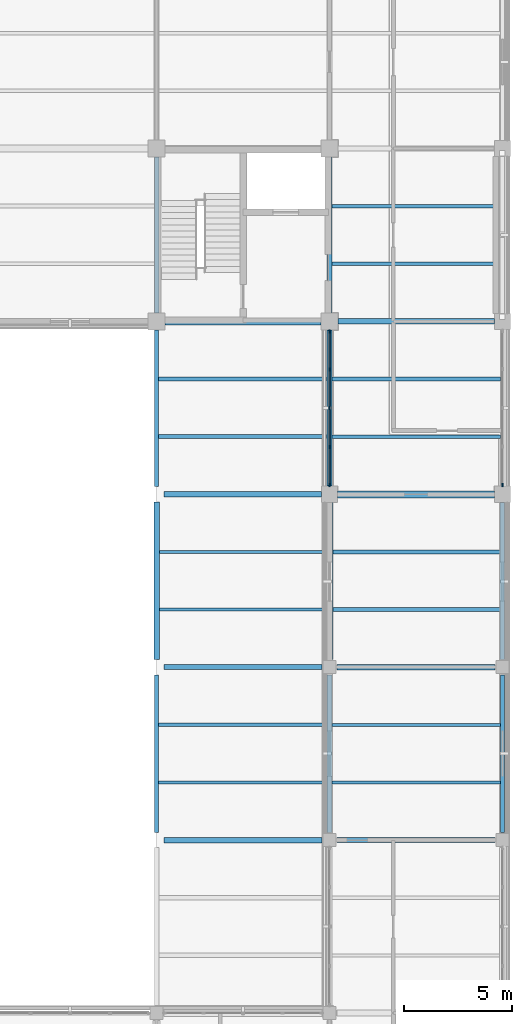
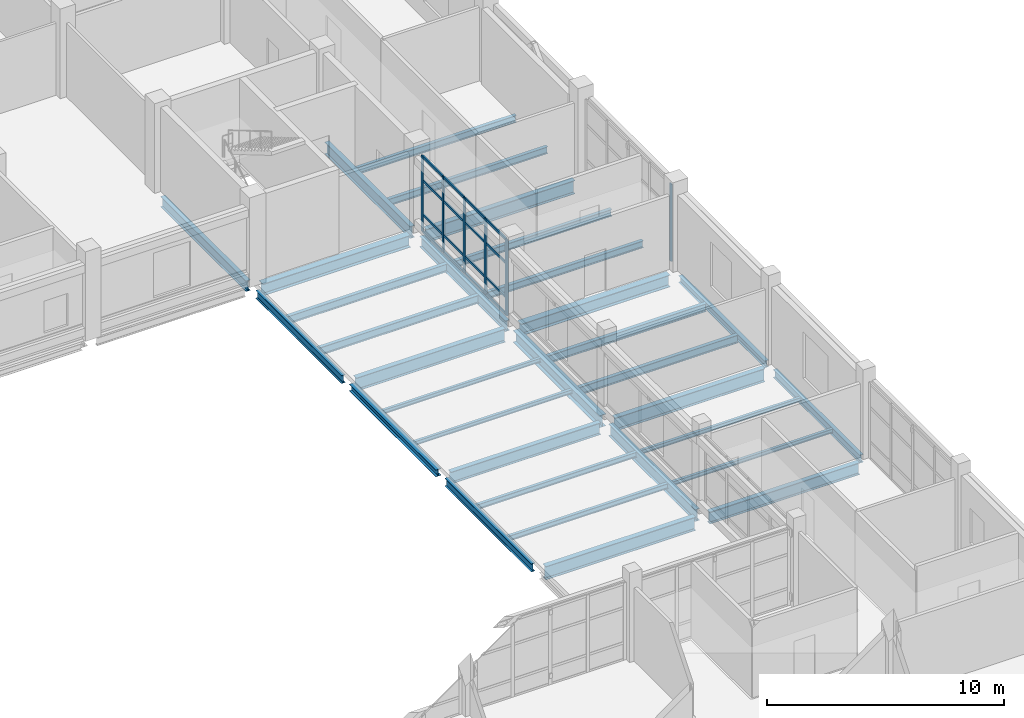
# One storey, part 54 of 121: 32 beams, 22 members, 2 elements without a shape of their own.
"""IFC4 building model written with IfcOpenShell, lengths in metres."""

from ifc_helpers import new_model, si_unit, derived_unit, direction, frame, origin, origin_2d, place, context, subcontext, project, spatial, rectangle, i_section, extrude, material, layer, layer_set, material_profile, profile_set, type_object, element, aggregate, save


model = new_model("IFC4")

# Units and contexts
model_context = context("Model", 3, precision=1e-05, world=origin(), true_north=direction((0.0, 1.0)))
body_context = subcontext(model_context, "Body", "Model", "MODEL_VIEW")
ifc_project = project(units=[si_unit("LENGTHUNIT", "METRE"), si_unit("AREAUNIT", "SQUARE_METRE"), si_unit("VOLUMEUNIT", "CUBIC_METRE"), si_unit("PLANEANGLEUNIT", "RADIAN"), si_unit("MASSUNIT", "GRAM", prefix="KILO"), derived_unit("THERMALTRANSMITTANCEUNIT", [(si_unit("MASSUNIT", "GRAM", prefix="KILO"), 1), (si_unit("TIMEUNIT", "SECOND"), -3), (si_unit("THERMODYNAMICTEMPERATUREUNIT", "KELVIN"), -1)])], contexts=[model_context])

# Site, building, storey
site_placement = place(None, origin())
site = spatial("IfcSite", under=ifc_project, at=site_placement, CompositionType="ELEMENT")
building_placement = place(site_placement, origin())
building = spatial("IfcBuilding", under=site, at=building_placement, Name="Veyamyaing Civic Hall", CompositionType="ELEMENT")
storey_placement = place(building_placement, frame((0.0, 0.0, 5.280029296875)))
storey = spatial("IfcBuildingStorey", under=building, at=storey_placement, Name="L01", CompositionType="ELEMENT", Elevation=5.280029296875)

# Beams
ifc_material_1 = material(Name="Steel ASTM A992", Category="steel")
ifc_material_profile_1 = material_profile(ifc_material_1, i_section(OverallWidth=0.256103515625, OverallDepth=0.693115234375, WebThickness=0.014404296875, FlangeThickness=0.023681640625, FilletRadius=0.013916015625, at=origin_2d()), Name="W690X170")
ifc_profile_set_1 = profile_set([ifc_material_profile_1], Name="Steel ASTM A992")
beam_type_1 = type_object("IfcBeamType", Name="B-04", PredefinedType="BEAM", material=ifc_profile_set_1)
beam_1_placement = place(storey_placement, frame((160.35009765625, 64.0, -0.58642578125), z_axis=(1.0, 0.0, 0.0), x_axis=(0.0, 1.0, 0.0)))
element("IfcBeam", 1, at=beam_1_placement, inside=storey, type_object=beam_type_1, Name="Girder B-04 L01 Grid J 21-22", PredefinedType="BEAM", context=body_context, shape_type="SweptSolid", body=[
    extrude(i_section(OverallWidth=0.256103515625, OverallDepth=0.693115234375, WebThickness=0.014404296875, FlangeThickness=0.023681640625, FilletRadius=0.013916015625, at=origin_2d()), origin(), (0.0, 0.0, 1.0), 7.2998046875),
])
beam_2_placement = place(storey_placement, frame((168.39990234375, 88.0, -0.591552734375), z_axis=(1.0, 0.0, 0.0), x_axis=(0.0, 1.0, 0.0)))
element("IfcBeam", 2, at=beam_2_placement, inside=storey, type_object=beam_type_1, Name="Girder B-04 L01 Grid M 22-23", PredefinedType="BEAM", context=body_context, shape_type="SweptSolid", body=[
    extrude(i_section(OverallWidth=0.256103515625, OverallDepth=0.693115234375, WebThickness=0.014404296875, FlangeThickness=0.023681640625, FilletRadius=0.013916015625, at=origin_2d()), origin(), (0.0, 0.0, 1.0), 7.22509765625),
])
ifc_material_profile_2 = material_profile(ifc_material_1, i_section(OverallWidth=0.22998046875, OverallDepth=0.616943359375, WebThickness=0.01318359375, FlangeThickness=0.022216796875, FilletRadius=0.012939453125, at=origin_2d()), Name="W610X140")
ifc_profile_set_2 = profile_set([ifc_material_profile_2], Name="Steel ASTM A992")
beam_type_2 = type_object("IfcBeamType", Name="B-05", PredefinedType="BEAM", material=ifc_profile_set_2)
for number, where, z_axis, x_axis, name in (
    (3, (168.35009765625, 64.0, -0.553466796875), (1.0, 0.0, 0.0), (0.0, 1.0, 0.0), "Girder B-05 L01 Grid J 22-23"),
    (4, (160.35009765625, 72.0, -0.548583984375), (1.0, 0.0, 0.0), (0.0, 1.0, 0.0), "Girder B-05 L01 Grid K 21-22"),
):
    element("IfcBeam", number, at=place(storey_placement, frame(where, z_axis=z_axis, x_axis=x_axis)), inside=storey, type_object=beam_type_2, Name=name, PredefinedType="BEAM", context=body_context, shape_type="SweptSolid", body=[
        extrude(i_section(OverallWidth=0.22998046875, OverallDepth=0.616943359375, WebThickness=0.01318359375, FlangeThickness=0.022216796875, FilletRadius=0.012939453125, at=origin_2d()), origin(), (0.0, 0.0, 1.0), 7.2998046875),
    ])
beam_3_placement = place(storey_placement, frame((168.0, 88.39990234375, -0.553466796875), z_axis=(0.0, 1.0, 0.0), x_axis=(-1.0, 0.0, 0.0)))
element("IfcBeam", 5, at=beam_3_placement, inside=storey, type_object=beam_type_2, Name="Girder B-05 L01 Grid 22 M-N", PredefinedType="BEAM", context=body_context, shape_type="SweptSolid", body=[
    extrude(i_section(OverallWidth=0.22998046875, OverallDepth=0.616943359375, WebThickness=0.01318359375, FlangeThickness=0.022216796875, FilletRadius=0.012939453125, at=origin_2d()), origin(), (0.0, 0.0, 1.0), 7.2001953125),
])
ifc_material_profile_3 = material_profile(ifc_material_1, i_section(OverallWidth=0.22802734375, OverallDepth=0.60791015625, WebThickness=0.01123046875, FlangeThickness=0.017333984375, FilletRadius=0.012939453125, at=origin_2d()), Name="W610X113")
ifc_profile_set_3 = profile_set([ifc_material_profile_3], Name="Steel ASTM A992")
beam_type_3 = type_object("IfcBeamType", Name="B-06", PredefinedType="BEAM", material=ifc_profile_set_3)
beam_4_placement = place(storey_placement, frame((168.0, 64.35009765625, -0.549072265625), z_axis=(0.0, 1.0, 0.0), x_axis=(-1.0, 0.0, 0.0)))
element("IfcBeam", 6, at=beam_4_placement, inside=storey, type_object=beam_type_3, Name="Girder B-06 L01 Grid 22 J-K", PredefinedType="BEAM", context=body_context, shape_type="SweptSolid", body=[
    extrude(i_section(OverallWidth=0.22802734375, OverallDepth=0.60791015625, WebThickness=0.01123046875, FlangeThickness=0.017333984375, FilletRadius=0.012939453125, at=origin_2d()), origin(), (0.0, 0.0, 1.0), 7.2998046875),
])
ifc_material_profile_4 = material_profile(ifc_material_1, i_section(OverallWidth=0.179931640625, OverallDepth=0.4130859375, WebThickness=0.009765625, FlangeThickness=0.01611328125, FilletRadius=0.010009765625, at=origin_2d()), Name="W410X74")
ifc_profile_set_4 = profile_set([ifc_material_profile_4], Name="Steel ASTM A992")
beam_type_4 = type_object("IfcBeamType", Name="B-10", PredefinedType="SPANDREL", material=ifc_profile_set_4)
beam_5_placement = place(storey_placement, frame((160.0, 80.35009765625, -0.446533203125), z_axis=(0.0, 1.0, 0.0), x_axis=(-1.0, 0.0, 0.0)))
element("IfcBeam", 7, at=beam_5_placement, inside=storey, type_object=beam_type_4, Name="Girder B-10 L01 Grid 21 L-M", PredefinedType="SPANDREL", context=body_context, shape_type="SweptSolid", body=[
    extrude(i_section(OverallWidth=0.179931640625, OverallDepth=0.4130859375, WebThickness=0.009765625, FlangeThickness=0.01611328125, FilletRadius=0.010009765625, at=origin_2d()), origin(), (0.0, 0.0, 1.0), 7.25),
])
beam_6_placement = place(storey_placement, frame((176.0, 64.35009765625, -0.451416015625), z_axis=(0.0, 1.0, 0.0), x_axis=(-1.0, 0.0, 0.0)))
element("IfcBeam", 8, at=beam_6_placement, inside=storey, type_object=beam_type_4, Name="Girder B-10 L01 Grid 23 J-K", PredefinedType="SPANDREL", context=body_context, shape_type="SweptSolid", body=[
    extrude(i_section(OverallWidth=0.179931640625, OverallDepth=0.4130859375, WebThickness=0.009765625, FlangeThickness=0.01611328125, FilletRadius=0.010009765625, at=origin_2d()), origin(), (0.0, 0.0, 1.0), 7.2998046875),
])
ifc_material_profile_5 = material_profile(ifc_material_1, i_section(OverallWidth=0.2041015625, OverallDepth=0.35009765625, WebThickness=0.0078125, FlangeThickness=0.01513671875, FilletRadius=0.010009765625, at=origin_2d()), Name="W360X72")
ifc_profile_set_5 = profile_set([ifc_material_profile_5], Name="Steel ASTM A992")
beam_type_5 = type_object("IfcBeamType", Name="B-11", PredefinedType="SPANDREL", material=ifc_profile_set_5)
beam_7_placement = place(storey_placement, frame((176.0, 72.35009765625, -0.419921875), z_axis=(0.0, 1.0, 0.0), x_axis=(-1.0, 0.0, 0.0)))
element("IfcBeam", 9, at=beam_7_placement, inside=storey, type_object=beam_type_5, Name="Girder B-11 L01 Grid 23 K-L", PredefinedType="SPANDREL", context=body_context, shape_type="SweptSolid", body=[
    extrude(i_section(OverallWidth=0.2041015625, OverallDepth=0.35009765625, WebThickness=0.0078125, FlangeThickness=0.01513671875, FilletRadius=0.010009765625, at=origin_2d()), origin(), (0.0, 0.0, 1.0), 7.27490234375),
])
ifc_material_profile_6 = material_profile(ifc_material_1, i_section(OverallWidth=0.25390625, OverallDepth=0.68408203125, WebThickness=0.012451171875, FlangeThickness=0.01904296875, FilletRadius=0.013916015625, at=origin_2d()), Name="W690X140")
ifc_profile_set_6 = profile_set([ifc_material_profile_6], Name="Steel ASTM A992")
beam_type_6 = type_object("IfcBeamType", Name="B-14", PredefinedType="BEAM", material=ifc_profile_set_6)
beam_8_placement = place(storey_placement, frame((168.35009765625, 72.0, -0.5869140625), z_axis=(1.0, 0.0, 0.0), x_axis=(0.0, 1.0, 0.0)))
element("IfcBeam", 10, at=beam_8_placement, inside=storey, type_object=beam_type_6, Name="Girder B-14 L01 Grid K 22-23", PredefinedType="BEAM", context=body_context, shape_type="SweptSolid", body=[
    extrude(i_section(OverallWidth=0.25390625, OverallDepth=0.68408203125, WebThickness=0.012451171875, FlangeThickness=0.01904296875, FilletRadius=0.013916015625, at=origin_2d()), origin(), (0.0, 0.0, 1.0), 7.2998046875),
])
beam_9_placement = place(storey_placement, frame((160.35009765625, 80.0, -0.58203125), z_axis=(1.0, 0.0, 0.0), x_axis=(0.0, 1.0, 0.0)))
element("IfcBeam", 11, at=beam_9_placement, inside=storey, type_object=beam_type_6, Name="Girder B-14 L01 Grid L 21-22", PredefinedType="BEAM", context=body_context, shape_type="SweptSolid", body=[
    extrude(i_section(OverallWidth=0.25390625, OverallDepth=0.68408203125, WebThickness=0.012451171875, FlangeThickness=0.01904296875, FilletRadius=0.013916015625, at=origin_2d()), origin(), (0.0, 0.0, 1.0), 7.27490234375),
])
ifc_material_profile_7 = material_profile(ifc_material_1, i_section(OverallWidth=0.324951171875, OverallDepth=0.615966796875, WebThickness=0.013916015625, FlangeThickness=0.021484375, FilletRadius=0.013916015625, at=origin_2d()), Name="W610X174")
ifc_profile_set_7 = profile_set([ifc_material_profile_7], Name="Steel ASTM A992")
beam_type_7 = type_object("IfcBeamType", Name="B-15", PredefinedType="BEAM", material=ifc_profile_set_7)
beam_10_placement = place(storey_placement, frame((168.375, 80.0, -0.552978515625), z_axis=(1.0, 0.0, 0.0), x_axis=(0.0, 1.0, 0.0)))
element("IfcBeam", 12, at=beam_10_placement, inside=storey, type_object=beam_type_7, Name="Girder B-15 L01 Grid L 22-23", PredefinedType="BEAM", context=body_context, shape_type="SweptSolid", body=[
    extrude(i_section(OverallWidth=0.324951171875, OverallDepth=0.615966796875, WebThickness=0.013916015625, FlangeThickness=0.021484375, FilletRadius=0.013916015625, at=origin_2d()), origin(), (0.0, 0.0, 1.0), 7.25),
])
beam_11_placement = place(storey_placement, frame((160.39990234375, 88.0, -0.552978515625), z_axis=(1.0, 0.0, 0.0), x_axis=(0.0, 1.0, 0.0)))
element("IfcBeam", 13, at=beam_11_placement, inside=storey, type_object=beam_type_7, Name="Girder B-15 L01 Grid M 21-22", PredefinedType="BEAM", context=body_context, shape_type="SweptSolid", body=[
    extrude(i_section(OverallWidth=0.324951171875, OverallDepth=0.615966796875, WebThickness=0.013916015625, FlangeThickness=0.021484375, FilletRadius=0.013916015625, at=origin_2d()), origin(), (0.0, 0.0, 1.0), 7.2001953125),
])
beam_12_placement = place(storey_placement, frame((168.0, 72.35009765625, -0.552978515625), z_axis=(0.0, 1.0, 0.0), x_axis=(-1.0, 0.0, 0.0)))
element("IfcBeam", 14, at=beam_12_placement, inside=storey, type_object=beam_type_7, Name="Girder B-15 L01 Grid 22 K-L", PredefinedType="BEAM", context=body_context, shape_type="SweptSolid", body=[
    extrude(i_section(OverallWidth=0.324951171875, OverallDepth=0.615966796875, WebThickness=0.013916015625, FlangeThickness=0.021484375, FilletRadius=0.013916015625, at=origin_2d()), origin(), (0.0, 0.0, 1.0), 7.27490234375),
])
ifc_material_profile_8 = material_profile(ifc_material_1, i_section(OverallWidth=0.214111328125, OverallDepth=0.549072265625, WebThickness=0.0146484375, FlangeThickness=0.023681640625, FilletRadius=0.011962890625, at=origin_2d()), Name="W530X138")
ifc_profile_set_8 = profile_set([ifc_material_profile_8], Name="Steel ASTM A992")
beam_type_8 = type_object("IfcBeamType", Name="B-16", PredefinedType="BEAM", material=ifc_profile_set_8)
beam_13_placement = place(storey_placement, frame((160.0, 88.39990234375, -0.51953125), z_axis=(0.0, 1.0, 0.0), x_axis=(-1.0, 0.0, 0.0)))
element("IfcBeam", 15, at=beam_13_placement, inside=storey, type_object=beam_type_8, Name="Girder B-16 L01 Grid 21 M-N", PredefinedType="BEAM", context=body_context, shape_type="SweptSolid", body=[
    extrude(i_section(OverallWidth=0.214111328125, OverallDepth=0.549072265625, WebThickness=0.0146484375, FlangeThickness=0.023681640625, FilletRadius=0.011962890625, at=origin_2d()), origin(), (0.0, 0.0, 1.0), 7.2001953125),
])
beam_14_placement = place(storey_placement, frame((168.0, 80.375, -0.51953125), z_axis=(0.0, 1.0, 0.0), x_axis=(-1.0, 0.0, 0.0)))
element("IfcBeam", 16, at=beam_14_placement, inside=storey, type_object=beam_type_8, Name="Girder B-16 L01 Grid 22 L-M", PredefinedType="BEAM", context=body_context, shape_type="SweptSolid", body=[
    extrude(i_section(OverallWidth=0.214111328125, OverallDepth=0.549072265625, WebThickness=0.0146484375, FlangeThickness=0.023681640625, FilletRadius=0.011962890625, at=origin_2d()), origin(), (0.0, 0.0, 1.0), 7.22509765625),
])
ifc_material_profile_9 = material_profile(ifc_material_1, i_section(OverallWidth=0.180908203125, OverallDepth=0.4169921875, WebThickness=0.010986328125, FlangeThickness=0.018310546875, FilletRadius=0.010009765625, at=origin_2d()), Name="W410X85")
ifc_profile_set_9 = profile_set([ifc_material_profile_9], Name="Steel ASTM A992")
beam_type_9 = type_object("IfcBeamType", Name="B-19", PredefinedType="SPANDREL", material=ifc_profile_set_9)
beam_15_placement = place(storey_placement, frame((160.0, 64.35009765625, -0.448486328125), z_axis=(0.0, 1.0, 0.0), x_axis=(-1.0, 0.0, 0.0)))
element("IfcBeam", 17, at=beam_15_placement, inside=storey, type_object=beam_type_9, Name="Girder B-19 L01 Grid 21 J-K", PredefinedType="SPANDREL", context=body_context, shape_type="SweptSolid", body=[
    extrude(i_section(OverallWidth=0.180908203125, OverallDepth=0.4169921875, WebThickness=0.010986328125, FlangeThickness=0.018310546875, FilletRadius=0.010009765625, at=origin_2d()), origin(), (0.0, 0.0, 1.0), 7.2998046875),
])
ifc_material_profile_10 = material_profile(ifc_material_1, i_section(OverallWidth=0.25390625, OverallDepth=0.35302734375, WebThickness=0.009521484375, FlangeThickness=0.016357421875, FilletRadius=0.011962890625, at=origin_2d()), Name="W360X91")
ifc_profile_set_10 = profile_set([ifc_material_profile_10], Name="Steel ASTM A992")
beam_type_10 = type_object("IfcBeamType", Name="B-20", PredefinedType="SPANDREL", material=ifc_profile_set_10)
beam_16_placement = place(storey_placement, frame((160.0, 72.35009765625, -0.41650390625), z_axis=(0.0, 1.0, 0.0), x_axis=(-1.0, 0.0, 0.0)))
element("IfcBeam", 18, at=beam_16_placement, inside=storey, type_object=beam_type_10, Name="Girder B-20 L01 Grid 21 K-L", PredefinedType="SPANDREL", context=body_context, shape_type="SweptSolid", body=[
    extrude(i_section(OverallWidth=0.25390625, OverallDepth=0.35302734375, WebThickness=0.009521484375, FlangeThickness=0.016357421875, FilletRadius=0.011962890625, at=origin_2d()), origin(), (0.0, 0.0, 1.0), 7.2998046875),
])

# Curtain wall, members
ifc_material_2 = material(Name="Anodised aluminium 6063-T6", Category="aluminium")
ifc_layer = layer(ifc_material_2, 0.159912109375, Name="Anodised aluminium 6063-T6")
ifc_layer_set = layer_set([ifc_layer], Name="Anodised aluminium 6063-T6")
curtain_wall_type = type_object("IfcCurtainWallType", Name="CW-02", PredefinedType="NOTDEFINED", material=ifc_layer_set)
curtain_wall_1_placement = place(storey_placement, origin())
curtain_wall_1 = element("IfcCurtainWall", 19, at=curtain_wall_1_placement, inside=storey, type_object=curtain_wall_type, Name="Unitized curtain wall CW-02 L01 W 22.11", PredefinedType="NOTDEFINED")
ifc_material_profile_11 = material_profile(ifc_material_2, rectangle(XDim=0.06494140625, YDim=0.159912109375, at=origin_2d()), Name="ALU-MUL-65X160")
ifc_profile_set_11 = profile_set([ifc_material_profile_11], Name="Anodised aluminium 6063-T6")
member_type_1 = type_object("IfcMemberType", Name="CWM-01", PredefinedType="MULLION", material=ifc_profile_set_11)
member_1_placement = place(storey_placement, frame((168.0, 80.4375, 0.0), z_axis=(0.0, 0.0, 1.0), x_axis=(-1.0, 0.0, 0.0)))
member_1 = element("IfcMember", 20, at=member_1_placement, type_object=member_type_1, Name="CW-02 mullion 1", PredefinedType="MULLION", context=body_context, shape_type="SweptSolid", body=[
    extrude(rectangle(XDim=0.06494140625, YDim=0.159912109375, at=origin_2d()), origin(), (0.0, 0.0, 1.0), 3.909912109375),
])
member_2_placement = place(storey_placement, frame((168.0, 82.1962890625, 0.0), z_axis=(0.0, 0.0, 1.0), x_axis=(-1.0, 0.0, 0.0)))
member_2 = element("IfcMember", 21, at=member_2_placement, type_object=member_type_1, Name="CW-02 mullion 2", PredefinedType="MULLION", context=body_context, shape_type="SweptSolid", body=[
    extrude(rectangle(XDim=0.06494140625, YDim=0.159912109375, at=origin_2d()), origin(), (0.0, 0.0, 1.0), 3.909912109375),
])
member_3_placement = place(storey_placement, frame((168.0, 83.987548828125, 0.0), z_axis=(0.0, 0.0, 1.0), x_axis=(-1.0, 0.0, 0.0)))
member_3 = element("IfcMember", 22, at=member_3_placement, type_object=member_type_1, Name="CW-02 mullion 3", PredefinedType="MULLION", context=body_context, shape_type="SweptSolid", body=[
    extrude(rectangle(XDim=0.06494140625, YDim=0.159912109375, at=origin_2d()), origin(), (0.0, 0.0, 1.0), 3.909912109375),
])
member_4_placement = place(storey_placement, frame((168.0, 85.77880859375, 0.0), z_axis=(0.0, 0.0, 1.0), x_axis=(-1.0, 0.0, 0.0)))
member_4 = element("IfcMember", 23, at=member_4_placement, type_object=member_type_1, Name="CW-02 mullion 4", PredefinedType="MULLION", context=body_context, shape_type="SweptSolid", body=[
    extrude(rectangle(XDim=0.06494140625, YDim=0.159912109375, at=origin_2d()), origin(), (0.0, 0.0, 1.0), 3.909912109375),
])
member_5_placement = place(storey_placement, frame((168.0, 87.53759765625, 0.0), z_axis=(0.0, 0.0, 1.0), x_axis=(-1.0, 0.0, 0.0)))
member_5 = element("IfcMember", 24, at=member_5_placement, type_object=member_type_1, Name="CW-02 mullion 5", PredefinedType="MULLION", context=body_context, shape_type="SweptSolid", body=[
    extrude(rectangle(XDim=0.06494140625, YDim=0.159912109375, at=origin_2d()), origin(), (0.0, 0.0, 1.0), 3.909912109375),
])

# Curtain wall, member
curtain_wall_2_placement = place(storey_placement, origin())
curtain_wall_2 = element("IfcCurtainWall", 25, at=curtain_wall_2_placement, inside=storey, type_object=curtain_wall_type, Name="Unitized curtain wall CW-02 L01 E 22.11", PredefinedType="NOTDEFINED")
member_6_placement = place(storey_placement, frame((176.0, 80.4375, 0.0), z_axis=(0.0, 0.0, 1.0), x_axis=(-1.0, 0.0, 0.0)))
member_6 = element("IfcMember", 26, at=member_6_placement, type_object=member_type_1, Name="CW-02 mullion 1", PredefinedType="MULLION", context=body_context, shape_type="SweptSolid", body=[
    extrude(rectangle(XDim=0.06494140625, YDim=0.159912109375, at=origin_2d()), origin(), (0.0, 0.0, 1.0), 3.973876953125),
])
aggregate(curtain_wall_2, [member_6])

# Member
ifc_material_profile_12 = material_profile(ifc_material_2, rectangle(XDim=0.06494140625, YDim=0.1201171875, at=origin_2d()), Name="ALU-TRN-65X120")
ifc_profile_set_12 = profile_set([ifc_material_profile_12], Name="Anodised aluminium 6063-T6")
member_type_2 = type_object("IfcMemberType", Name="CWT-01", PredefinedType="USERDEFINED", material=ifc_profile_set_12)
member_7_placement = place(storey_placement, frame((168.0, 80.469970703125, 0.032470703125), z_axis=(0.0, 1.0, 0.0), x_axis=(-1.0, 0.0, 0.0)))
member_7 = element("IfcMember", 27, at=member_7_placement, type_object=member_type_2, Name="CW-02 transom 1.1", ObjectType="TRANSOM", PredefinedType="USERDEFINED", context=body_context, shape_type="SweptSolid", body=[
    extrude(rectangle(XDim=0.06494140625, YDim=0.1201171875, at=origin_2d()), origin(), (0.0, 0.0, 1.0), 1.69384765625),
])

member_8_placement = place(storey_placement, frame((168.0, 80.469970703125, 0.89990234375), z_axis=(0.0, 1.0, 0.0), x_axis=(-1.0, 0.0, 0.0)))
member_8 = element("IfcMember", 28, at=member_8_placement, type_object=member_type_2, Name="CW-02 transom 1.2", ObjectType="TRANSOM", PredefinedType="USERDEFINED", context=body_context, shape_type="SweptSolid", body=[
    extrude(rectangle(XDim=0.06494140625, YDim=0.1201171875, at=origin_2d()), origin(), (0.0, 0.0, 1.0), 1.69384765625),
])

member_9_placement = place(storey_placement, frame((168.0, 80.469970703125, 2.65869140625), z_axis=(0.0, 1.0, 0.0), x_axis=(-1.0, 0.0, 0.0)))
member_9 = element("IfcMember", 29, at=member_9_placement, type_object=member_type_2, Name="CW-02 transom 1.3", ObjectType="TRANSOM", PredefinedType="USERDEFINED", context=body_context, shape_type="SweptSolid", body=[
    extrude(rectangle(XDim=0.06494140625, YDim=0.1201171875, at=origin_2d()), origin(), (0.0, 0.0, 1.0), 1.69384765625),
])

member_10_placement = place(storey_placement, frame((168.0, 80.469970703125, 3.87744140625), z_axis=(0.0, 1.0, 0.0), x_axis=(-1.0, 0.0, 0.0)))
member_10 = element("IfcMember", 30, at=member_10_placement, type_object=member_type_2, Name="CW-02 transom 1.4", ObjectType="TRANSOM", PredefinedType="USERDEFINED", context=body_context, shape_type="SweptSolid", body=[
    extrude(rectangle(XDim=0.06494140625, YDim=0.1201171875, at=origin_2d()), origin(), (0.0, 0.0, 1.0), 1.69384765625),
])

member_11_placement = place(storey_placement, frame((168.0, 82.228759765625, 0.032470703125), z_axis=(0.0, 1.0, 0.0), x_axis=(-1.0, 0.0, 0.0)))
member_11 = element("IfcMember", 31, at=member_11_placement, type_object=member_type_2, Name="CW-02 transom 2.1", ObjectType="TRANSOM", PredefinedType="USERDEFINED", context=body_context, shape_type="SweptSolid", body=[
    extrude(rectangle(XDim=0.06494140625, YDim=0.1201171875, at=origin_2d()), origin(), (0.0, 0.0, 1.0), 1.726318359375),
])

member_12_placement = place(storey_placement, frame((168.0, 82.228759765625, 0.89990234375), z_axis=(0.0, 1.0, 0.0), x_axis=(-1.0, 0.0, 0.0)))
member_12 = element("IfcMember", 32, at=member_12_placement, type_object=member_type_2, Name="CW-02 transom 2.2", ObjectType="TRANSOM", PredefinedType="USERDEFINED", context=body_context, shape_type="SweptSolid", body=[
    extrude(rectangle(XDim=0.06494140625, YDim=0.1201171875, at=origin_2d()), origin(), (0.0, 0.0, 1.0), 1.726318359375),
])

member_13_placement = place(storey_placement, frame((168.0, 82.228759765625, 2.65869140625), z_axis=(0.0, 1.0, 0.0), x_axis=(-1.0, 0.0, 0.0)))
member_13 = element("IfcMember", 33, at=member_13_placement, type_object=member_type_2, Name="CW-02 transom 2.3", ObjectType="TRANSOM", PredefinedType="USERDEFINED", context=body_context, shape_type="SweptSolid", body=[
    extrude(rectangle(XDim=0.06494140625, YDim=0.1201171875, at=origin_2d()), origin(), (0.0, 0.0, 1.0), 1.726318359375),
])

member_14_placement = place(storey_placement, frame((168.0, 82.228759765625, 3.87744140625), z_axis=(0.0, 1.0, 0.0), x_axis=(-1.0, 0.0, 0.0)))
member_14 = element("IfcMember", 34, at=member_14_placement, type_object=member_type_2, Name="CW-02 transom 2.4", ObjectType="TRANSOM", PredefinedType="USERDEFINED", context=body_context, shape_type="SweptSolid", body=[
    extrude(rectangle(XDim=0.06494140625, YDim=0.1201171875, at=origin_2d()), origin(), (0.0, 0.0, 1.0), 1.726318359375),
])

member_15_placement = place(storey_placement, frame((168.0, 84.02001953125, 0.032470703125), z_axis=(0.0, 1.0, 0.0), x_axis=(-1.0, 0.0, 0.0)))
member_15 = element("IfcMember", 35, at=member_15_placement, type_object=member_type_2, Name="CW-02 transom 3.1", ObjectType="TRANSOM", PredefinedType="USERDEFINED", context=body_context, shape_type="SweptSolid", body=[
    extrude(rectangle(XDim=0.06494140625, YDim=0.1201171875, at=origin_2d()), origin(), (0.0, 0.0, 1.0), 1.726318359375),
])

member_16_placement = place(storey_placement, frame((168.0, 84.02001953125, 0.89990234375), z_axis=(0.0, 1.0, 0.0), x_axis=(-1.0, 0.0, 0.0)))
member_16 = element("IfcMember", 36, at=member_16_placement, type_object=member_type_2, Name="CW-02 transom 3.2", ObjectType="TRANSOM", PredefinedType="USERDEFINED", context=body_context, shape_type="SweptSolid", body=[
    extrude(rectangle(XDim=0.06494140625, YDim=0.1201171875, at=origin_2d()), origin(), (0.0, 0.0, 1.0), 1.726318359375),
])

member_17_placement = place(storey_placement, frame((168.0, 84.02001953125, 2.65869140625), z_axis=(0.0, 1.0, 0.0), x_axis=(-1.0, 0.0, 0.0)))
member_17 = element("IfcMember", 37, at=member_17_placement, type_object=member_type_2, Name="CW-02 transom 3.3", ObjectType="TRANSOM", PredefinedType="USERDEFINED", context=body_context, shape_type="SweptSolid", body=[
    extrude(rectangle(XDim=0.06494140625, YDim=0.1201171875, at=origin_2d()), origin(), (0.0, 0.0, 1.0), 1.726318359375),
])

member_18_placement = place(storey_placement, frame((168.0, 84.02001953125, 3.87744140625), z_axis=(0.0, 1.0, 0.0), x_axis=(-1.0, 0.0, 0.0)))
member_18 = element("IfcMember", 38, at=member_18_placement, type_object=member_type_2, Name="CW-02 transom 3.4", ObjectType="TRANSOM", PredefinedType="USERDEFINED", context=body_context, shape_type="SweptSolid", body=[
    extrude(rectangle(XDim=0.06494140625, YDim=0.1201171875, at=origin_2d()), origin(), (0.0, 0.0, 1.0), 1.726318359375),
])

member_19_placement = place(storey_placement, frame((168.0, 85.811279296875, 0.032470703125), z_axis=(0.0, 1.0, 0.0), x_axis=(-1.0, 0.0, 0.0)))
member_19 = element("IfcMember", 39, at=member_19_placement, type_object=member_type_2, Name="CW-02 transom 4.1", ObjectType="TRANSOM", PredefinedType="USERDEFINED", context=body_context, shape_type="SweptSolid", body=[
    extrude(rectangle(XDim=0.06494140625, YDim=0.1201171875, at=origin_2d()), origin(), (0.0, 0.0, 1.0), 1.693603515625),
])

member_20_placement = place(storey_placement, frame((168.0, 85.811279296875, 0.89990234375), z_axis=(0.0, 1.0, 0.0), x_axis=(-1.0, 0.0, 0.0)))
member_20 = element("IfcMember", 40, at=member_20_placement, type_object=member_type_2, Name="CW-02 transom 4.2", ObjectType="TRANSOM", PredefinedType="USERDEFINED", context=body_context, shape_type="SweptSolid", body=[
    extrude(rectangle(XDim=0.06494140625, YDim=0.1201171875, at=origin_2d()), origin(), (0.0, 0.0, 1.0), 1.693603515625),
])

member_21_placement = place(storey_placement, frame((168.0, 85.811279296875, 2.65869140625), z_axis=(0.0, 1.0, 0.0), x_axis=(-1.0, 0.0, 0.0)))
member_21 = element("IfcMember", 41, at=member_21_placement, type_object=member_type_2, Name="CW-02 transom 4.3", ObjectType="TRANSOM", PredefinedType="USERDEFINED", context=body_context, shape_type="SweptSolid", body=[
    extrude(rectangle(XDim=0.06494140625, YDim=0.1201171875, at=origin_2d()), origin(), (0.0, 0.0, 1.0), 1.693603515625),
])

member_22_placement = place(storey_placement, frame((168.0, 85.811279296875, 3.87744140625), z_axis=(0.0, 1.0, 0.0), x_axis=(-1.0, 0.0, 0.0)))
member_22 = element("IfcMember", 42, at=member_22_placement, type_object=member_type_2, Name="CW-02 transom 4.4", ObjectType="TRANSOM", PredefinedType="USERDEFINED", context=body_context, shape_type="SweptSolid", body=[
    extrude(rectangle(XDim=0.06494140625, YDim=0.1201171875, at=origin_2d()), origin(), (0.0, 0.0, 1.0), 1.693603515625),
])

aggregate(curtain_wall_1, [member_1, member_2, member_3, member_4, member_5, member_7, member_8, member_9, member_10, member_11, member_12, member_13, member_14, member_15, member_16, member_17, member_18, member_19, member_20, member_21, member_22])

# Beams
ifc_material_profile_13 = material_profile(ifc_material_1, i_section(OverallWidth=0.177978515625, OverallDepth=0.406982421875, WebThickness=0.0078125, FlangeThickness=0.0126953125, FilletRadius=0.010009765625, at=origin_2d()), Name="W410X60")
ifc_profile_set_13 = profile_set([ifc_material_profile_13], Name="Steel ASTM A992")
beam_type_11 = type_object("IfcBeamType", Name="J-01", PredefinedType="JOIST", material=ifc_profile_set_13)
for number, where, z_axis, x_axis, name in (
    (43, (160.087890625, 82.666748046875, -0.448486328125), (1.0, 0.0, 0.0), (0.0, 1.0, 0.0), "Composite floor joist J-01 L01 21.11.1"),
    (44, (160.087890625, 85.333251953125, -0.448486328125), (1.0, 0.0, 0.0), (0.0, 1.0, 0.0), "Composite floor joist J-01 L01 21.11.2"),
):
    element("IfcBeam", number, at=place(storey_placement, frame(where, z_axis=z_axis, x_axis=x_axis)), inside=storey, type_object=beam_type_11, Name=name, PredefinedType="JOIST", context=body_context, shape_type="SweptSolid", body=[
        extrude(i_section(OverallWidth=0.177978515625, OverallDepth=0.406982421875, WebThickness=0.0078125, FlangeThickness=0.0126953125, FilletRadius=0.010009765625, at=origin_2d()), origin(), (0.0, 0.0, 1.0), 7.80712890625),
    ])
for number, where, z_axis, x_axis, name in (
    (45, (168.160400390625, 74.666748046875, -0.448486328125), (1.0, 0.0, 0.0), (0.0, 1.0, 0.0), "Composite floor joist J-01 L01 22.10.1"),
    (46, (168.160400390625, 77.333251953125, -0.448486328125), (1.0, 0.0, 0.0), (0.0, 1.0, 0.0), "Composite floor joist J-01 L01 22.10.2"),
):
    element("IfcBeam", number, at=place(storey_placement, frame(where, z_axis=z_axis, x_axis=x_axis)), inside=storey, type_object=beam_type_11, Name=name, PredefinedType="JOIST", context=body_context, shape_type="SweptSolid", body=[
        extrude(i_section(OverallWidth=0.177978515625, OverallDepth=0.406982421875, WebThickness=0.0078125, FlangeThickness=0.0126953125, FilletRadius=0.010009765625, at=origin_2d()), origin(), (0.0, 0.0, 1.0), 7.739501953125),
    ])
ifc_material_profile_14 = material_profile(ifc_material_1, i_section(OverallWidth=0.172119140625, OverallDepth=0.35791015625, WebThickness=0.0078125, FlangeThickness=0.01318359375, FilletRadius=0.010009765625, at=origin_2d()), Name="W360X57")
ifc_profile_set_14 = profile_set([ifc_material_profile_14], Name="Steel ASTM A992")
beam_type_12 = type_object("IfcBeamType", Name="J-02", PredefinedType="JOIST", material=ifc_profile_set_14)
for number, where, z_axis, x_axis, name in (
    (47, (168.10498046875, 82.666748046875, -0.424072265625), (1.0, 0.0, 0.0), (0.0, 1.0, 0.0), "Composite floor joist J-02 L01 22.11.1"),
    (48, (168.10498046875, 85.333251953125, -0.424072265625), (1.0, 0.0, 0.0), (0.0, 1.0, 0.0), "Composite floor joist J-02 L01 22.11.2"),
):
    element("IfcBeam", number, at=place(storey_placement, frame(where, z_axis=z_axis, x_axis=x_axis)), inside=storey, type_object=beam_type_12, Name=name, PredefinedType="JOIST", context=body_context, shape_type="SweptSolid", body=[
        extrude(i_section(OverallWidth=0.172119140625, OverallDepth=0.35791015625, WebThickness=0.0078125, FlangeThickness=0.01318359375, FilletRadius=0.010009765625, at=origin_2d()), origin(), (0.0, 0.0, 1.0), 7.806640625),
    ])
ifc_material_profile_15 = material_profile(ifc_material_1, i_section(OverallWidth=0.1708984375, OverallDepth=0.35205078125, WebThickness=0.0068359375, FlangeThickness=0.009765625, FilletRadius=0.010009765625, at=origin_2d()), Name="W360X44")
ifc_profile_set_15 = profile_set([ifc_material_profile_15], Name="Steel ASTM A992")
beam_type_13 = type_object("IfcBeamType", Name="J-03", PredefinedType="JOIST", material=ifc_profile_set_15)
for number, where, z_axis, x_axis, name in (
    (49, (168.113037109375, 90.666748046875, -0.421142578125), (1.0, 0.0, 0.0), (0.0, 1.0, 0.0), "Composite floor joist J-03 L01 22.12.1"),
    (50, (168.113037109375, 93.333251953125, -0.421142578125), (1.0, 0.0, 0.0), (0.0, 1.0, 0.0), "Composite floor joist J-03 L01 22.12.2"),
):
    element("IfcBeam", number, at=place(storey_placement, frame(where, z_axis=z_axis, x_axis=x_axis)), inside=storey, type_object=beam_type_13, Name=name, PredefinedType="JOIST", context=body_context, shape_type="SweptSolid", body=[
        extrude(i_section(OverallWidth=0.1708984375, OverallDepth=0.35205078125, WebThickness=0.0068359375, FlangeThickness=0.009765625, FilletRadius=0.010009765625, at=origin_2d()), origin(), (0.0, 0.0, 1.0), 7.761962890625),
    ])
ifc_material_profile_16 = material_profile(ifc_material_1, i_section(OverallWidth=0.14794921875, OverallDepth=0.26611328125, WebThickness=0.007568359375, FlangeThickness=0.012939453125, FilletRadius=0.010009765625, at=origin_2d()), Name="W250X45")
ifc_profile_set_16 = profile_set([ifc_material_profile_16], Name="Steel ASTM A992")
beam_type_14 = type_object("IfcBeamType", Name="J-07", PredefinedType="JOIST", material=ifc_profile_set_16)
for number, where, z_axis, x_axis, name in (
    (51, (160.08837890625, 66.666748046875, -0.3779296875), (1.0, 0.0, 0.0), (0.0, 1.0, 0.0), "Composite floor joist J-07 L01 21.9.1"),
    (52, (160.08837890625, 69.333251953125, -0.3779296875), (1.0, 0.0, 0.0), (0.0, 1.0, 0.0), "Composite floor joist J-07 L01 21.9.2"),
):
    element("IfcBeam", number, at=place(storey_placement, frame(where, z_axis=z_axis, x_axis=x_axis)), inside=storey, type_object=beam_type_14, Name=name, PredefinedType="JOIST", context=body_context, shape_type="SweptSolid", body=[
        extrude(i_section(OverallWidth=0.14794921875, OverallDepth=0.26611328125, WebThickness=0.007568359375, FlangeThickness=0.012939453125, FilletRadius=0.010009765625, at=origin_2d()), origin(), (0.0, 0.0, 1.0), 7.799560546875),
    ])
ifc_material_profile_17 = material_profile(ifc_material_1, i_section(OverallWidth=0.133056640625, OverallDepth=0.20703125, WebThickness=0.005859375, FlangeThickness=0.00830078125, FilletRadius=0.010009765625, at=origin_2d()), Name="W200X27")
ifc_profile_set_17 = profile_set([ifc_material_profile_17], Name="Steel ASTM A992")
beam_type_15 = type_object("IfcBeamType", Name="J-08", PredefinedType="JOIST", material=ifc_profile_set_17)
for number, where, z_axis, x_axis, name in (
    (53, (160.125, 74.666748046875, -0.3486328125), (1.0, 0.0, 0.0), (0.0, 1.0, 0.0), "Composite floor joist J-08 L01 21.10.1"),
    (54, (160.125, 77.333251953125, -0.3486328125), (1.0, 0.0, 0.0), (0.0, 1.0, 0.0), "Composite floor joist J-08 L01 21.10.2"),
):
    element("IfcBeam", number, at=place(storey_placement, frame(where, z_axis=z_axis, x_axis=x_axis)), inside=storey, type_object=beam_type_15, Name=name, PredefinedType="JOIST", context=body_context, shape_type="SweptSolid", body=[
        extrude(i_section(OverallWidth=0.133056640625, OverallDepth=0.20703125, WebThickness=0.005859375, FlangeThickness=0.00830078125, FilletRadius=0.010009765625, at=origin_2d()), origin(), (0.0, 0.0, 1.0), 7.714599609375),
    ])
for number, where, z_axis, x_axis, name in (
    (55, (168.112060546875, 66.666748046875, -0.3486328125), (1.0, 0.0, 0.0), (0.0, 1.0, 0.0), "Composite floor joist J-08 L01 22.9.1"),
    (56, (168.112060546875, 69.333251953125, -0.3486328125), (1.0, 0.0, 0.0), (0.0, 1.0, 0.0), "Composite floor joist J-08 L01 22.9.2"),
):
    element("IfcBeam", number, at=place(storey_placement, frame(where, z_axis=z_axis, x_axis=x_axis)), inside=storey, type_object=beam_type_15, Name=name, PredefinedType="JOIST", context=body_context, shape_type="SweptSolid", body=[
        extrude(i_section(OverallWidth=0.133056640625, OverallDepth=0.20703125, WebThickness=0.005859375, FlangeThickness=0.00830078125, FilletRadius=0.010009765625, at=origin_2d()), origin(), (0.0, 0.0, 1.0), 7.800048828125),
    ])

save(model, "model.ifc")
